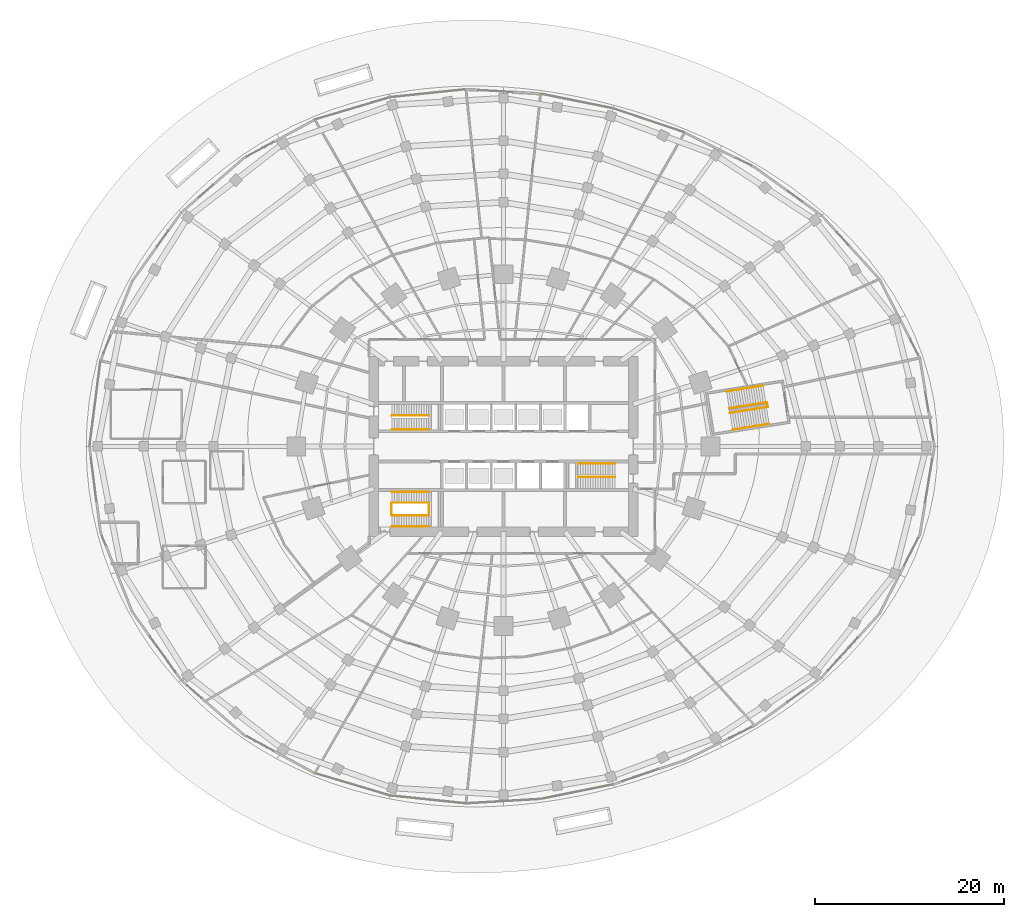
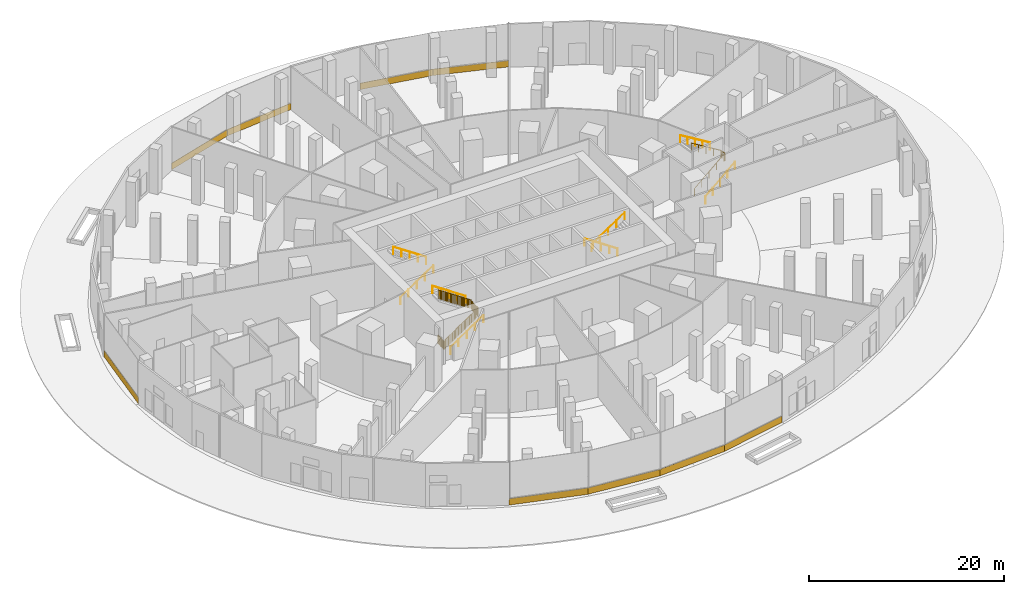
# One storey, part 22 of 23: 13 railings, 9 coverings.
"""IFC4 building model written with IfcOpenShell, lengths in metres."""

from ifc_helpers import new_model, si_unit, direction, frame, origin, origin_2d, place, context, subcontext, project, spatial, rectangle, circle, extrude, material, layer, layer_set, type_object, element, save


model = new_model("IFC4")

# Units and contexts
model_context = context("Model", 3, precision=1e-05, world=origin(), true_north=direction((0.0, 1.0)))
body_context = subcontext(model_context, "Body", "Model", "MODEL_VIEW")
ifc_project = project(units=[si_unit("LENGTHUNIT", "METRE"), si_unit("AREAUNIT", "SQUARE_METRE"), si_unit("VOLUMEUNIT", "CUBIC_METRE"), si_unit("PLANEANGLEUNIT", "RADIAN"), si_unit("MASSUNIT", "GRAM", prefix="KILO")], contexts=[model_context])

# Site, building, storey
site_placement = place(None, origin())
site = spatial("IfcSite", under=ifc_project, at=site_placement, CompositionType="ELEMENT")
building_placement = place(site_placement, origin())
building = spatial("IfcBuilding", under=site, at=building_placement, Name="Marramba Exchange Tower", CompositionType="ELEMENT")
storey_placement = place(building_placement, origin())
storey = spatial("IfcBuildingStorey", under=building, at=storey_placement, Name="L00", CompositionType="ELEMENT", Elevation=0.0)

# Coverings
ifc_material_1 = material(Name="Aluminium spandrel panel, bronze anodised, insulated", Category="aluminium")
ifc_layer = layer(ifc_material_1, 0.050048828125)
ifc_layer_set = layer_set([ifc_layer], Name="Spandrel panel 800")
covering_type = type_object("IfcCoveringType", Name="Spandrel panel 800", PredefinedType="CLADDING", material=ifc_layer_set)
covering_1_placement = place(storey_placement, frame((15.378662109375, 34.445068359375, 0.0), z_axis=(0.0, 0.0, 1.0), x_axis=(-0.947381976057, 0.320105281808, 0.0)))
element("IfcCovering", 1, at=covering_1_placement, inside=storey, type_object=covering_type, Name="Spandrel panel SP1 L00 F06", PredefinedType="CLADDING", context=body_context, shape_type="SweptSolid", body=[
    extrude(rectangle(XDim=7.9638671875, YDim=0.050048828125, at=origin_2d()), origin(), (0.0, 0.0, 1.0), 0.800048828125),
])
covering_2_placement = place(storey_placement, frame((7.76171875, 36.49462890625, 0.0), z_axis=(0.0, 0.0, 1.0), x_axis=(-0.980295805273, 0.197535146655, 0.0)))
element("IfcCovering", 2, at=covering_2_placement, inside=storey, type_object=covering_type, Name="Spandrel panel SP1 L00 F07", PredefinedType="CLADDING", context=body_context, shape_type="SweptSolid", body=[
    extrude(rectangle(XDim=7.843505859375, YDim=0.050048828125, at=origin_2d()), origin(), (0.0, 0.0, 1.0), 0.800048828125),
])
covering_3_placement = place(storey_placement, frame((-7.978759765625, 37.3212890625, 0.0), z_axis=(0.0, 0.0, 1.0), x_axis=(-0.994676918748, -0.10304284211, 0.0)))
element("IfcCovering", 3, at=covering_3_placement, inside=storey, type_object=covering_type, Name="Spandrel panel SP1 L00 F09", PredefinedType="CLADDING", context=body_context, shape_type="SweptSolid", body=[
    extrude(rectangle(XDim=8.068115234375, YDim=0.050048828125, at=origin_2d()), origin(), (0.0, 0.0, 1.0), 0.800048828125),
])
covering_4_placement = place(storey_placement, frame((-15.965576171875, 35.72119140625, 0.0), z_axis=(0.0, 0.0, 1.0), x_axis=(-0.958342726312, -0.28562076067, 0.0)))
element("IfcCovering", 4, at=covering_4_placement, inside=storey, type_object=covering_type, Name="Spandrel panel SP1 L00 F10", PredefinedType="CLADDING", context=body_context, shape_type="SweptSolid", body=[
    extrude(rectangle(XDim=8.2939453125, YDim=0.050048828125, at=origin_2d()), origin(), (0.0, 0.0, 1.0), 0.800048828125),
])
covering_5_placement = place(storey_placement, frame((-43.170166015625, 4.5263671875, 0.0), z_axis=(0.0, 0.0, 1.0), x_axis=(-0.127060765376, -0.991894934911, 0.0)))
element("IfcCovering", 5, at=covering_5_placement, inside=storey, type_object=covering_type, Name="Spandrel panel SP1 L00 F15", PredefinedType="CLADDING", context=body_context, shape_type="SweptSolid", body=[
    extrude(rectangle(XDim=9.126708984375, YDim=0.050048828125, at=origin_2d()), origin(), (0.0, 0.0, 1.0), 0.800048828125),
])
covering_6_placement = place(storey_placement, frame((-15.965576171875, -35.72119140625, 0.0), z_axis=(0.0, 0.0, 1.0), x_axis=(0.958342726312, -0.28562076067, 0.0)))
element("IfcCovering", 6, at=covering_6_placement, inside=storey, type_object=covering_type, Name="Spandrel panel SP1 L00 F21", PredefinedType="CLADDING", context=body_context, shape_type="SweptSolid", body=[
    extrude(rectangle(XDim=8.2939453125, YDim=0.050048828125, at=origin_2d()), origin(), (0.0, 0.0, 1.0), 0.800048828125),
])
covering_7_placement = place(storey_placement, frame((-7.978759765625, -37.3212890625, 0.0), z_axis=(0.0, 0.0, 1.0), x_axis=(0.994676918748, -0.10304284211, 0.0)))
element("IfcCovering", 7, at=covering_7_placement, inside=storey, type_object=covering_type, Name="Spandrel panel SP1 L00 F22", PredefinedType="CLADDING", context=body_context, shape_type="SweptSolid", body=[
    extrude(rectangle(XDim=8.068115234375, YDim=0.050048828125, at=origin_2d()), origin(), (0.0, 0.0, 1.0), 0.800048828125),
])
covering_8_placement = place(storey_placement, frame((-0.024658203125, -37.503173828125, 0.0), z_axis=(0.0, 0.0, 1.0), x_axis=(0.998243557453, 0.059243565088, 0.0)))
element("IfcCovering", 8, at=covering_8_placement, inside=storey, type_object=covering_type, Name="Spandrel panel SP1 L00 F23", PredefinedType="CLADDING", context=body_context, shape_type="SweptSolid", body=[
    extrude(rectangle(XDim=7.8974609375, YDim=0.050048828125, at=origin_2d()), origin(), (0.0, 0.0, 1.0), 0.800048828125),
])
covering_9_placement = place(storey_placement, frame((7.76171875, -36.49462890625, 0.0), z_axis=(0.0, 0.0, 1.0), x_axis=(0.980295805273, 0.197535146655, 0.0)))
element("IfcCovering", 9, at=covering_9_placement, inside=storey, type_object=covering_type, Name="Spandrel panel SP1 L00 F24", PredefinedType="CLADDING", context=body_context, shape_type="SweptSolid", body=[
    extrude(rectangle(XDim=7.843505859375, YDim=0.050048828125, at=origin_2d()), origin(), (0.0, 0.0, 1.0), 0.800048828125),
])

# Railings
ifc_material_2 = material(Name="Stainless steel handrail", Category="steel")
railing_type_1 = type_object("IfcRailingType", Name="Stair handrail 900", PredefinedType="HANDRAIL", material=ifc_material_2)
railing_1_placement = place(storey_placement, frame((-11.800048828125, 1.800048828125, 0.175048828125)))
element("IfcRailing", 10, at=railing_1_placement, inside=storey, type_object=railing_type_1, Name="Handrail HR1 ST1 L00 flight 1", PredefinedType="HANDRAIL", context=body_context, shape_type="SweptSolid", body=[
    extrude(circle(Radius=0.02392578125, at=origin_2d()), frame((0.0, 0.0, 0.8759765625), z_axis=(0.829597462249, 0.0, 0.558361935155), x_axis=(0.0, 1.0, 0.0)), (0.0, 0.0, 1.0), 4.701171875),
    extrude(circle(Radius=0.02099609375, at=origin_2d()), origin(), (0.0, 0.0, 1.0), 0.851806640625),
    extrude(circle(Radius=0.02099609375, at=origin_2d()), frame((0.97509765625, 0.0, 0.65625)), (0.0, 0.0, 1.0), 0.851806640625),
    extrude(circle(Radius=0.02099609375, at=origin_2d()), frame((1.9501953125, 0.0, 1.3125)), (0.0, 0.0, 1.0), 0.851806640625),
    extrude(circle(Radius=0.02099609375, at=origin_2d()), frame((2.925048828125, 0.0, 1.96875)), (0.0, 0.0, 1.0), 0.851806640625),
    extrude(circle(Radius=0.02099609375, at=origin_2d()), frame((3.900146484375, 0.0, 2.625)), (0.0, 0.0, 1.0), 0.851806640625),
])
for number, where, name in (
    (11, (-7.89990234375, 3.25, 2.97509765625), "Handrail HR1 ST1 L00 flight 2"),
    (12, (11.800048828125, -1.800048828125, 0.175048828125), "Handrail HR1 ST2 L00 flight 1"),
):
    element("IfcRailing", number, at=place(storey_placement, frame(where)), inside=storey, type_object=railing_type_1, Name=name, PredefinedType="HANDRAIL", context=body_context, shape_type="SweptSolid", body=[
        extrude(circle(Radius=0.02392578125, at=origin_2d()), frame((0.0, 0.0, 0.8759765625), z_axis=(-0.829597462249, 0.0, 0.558361935155), x_axis=(0.0, -1.0, 0.0)), (0.0, 0.0, 1.0), 4.701171875),
        extrude(circle(Radius=0.02099609375, at=origin_2d()), origin(), (0.0, 0.0, 1.0), 0.851806640625),
        extrude(circle(Radius=0.02099609375, at=origin_2d()), frame((-0.97509765625, 0.0, 0.65625)), (0.0, 0.0, 1.0), 0.851806640625),
        extrude(circle(Radius=0.02099609375, at=origin_2d()), frame((-1.9501953125, 0.0, 1.3125)), (0.0, 0.0, 1.0), 0.851806640625),
        extrude(circle(Radius=0.02099609375, at=origin_2d()), frame((-2.925048828125, 0.0, 1.96875)), (0.0, 0.0, 1.0), 0.851806640625),
        extrude(circle(Radius=0.02099609375, at=origin_2d()), frame((-3.900146484375, 0.0, 2.625)), (0.0, 0.0, 1.0), 0.851806640625),
    ])
for number, where, name in (
    (13, (7.89990234375, -3.25, 2.97509765625), "Handrail HR1 ST2 L00 flight 2"),
    (14, (-11.800048828125, -8.449951171875, 0.175048828125), "Handrail HR1 ST3 L00 flight 1"),
):
    element("IfcRailing", number, at=place(storey_placement, frame(where)), inside=storey, type_object=railing_type_1, Name=name, PredefinedType="HANDRAIL", context=body_context, shape_type="SweptSolid", body=[
        extrude(circle(Radius=0.02392578125, at=origin_2d()), frame((0.0, 0.0, 0.8759765625), z_axis=(0.829597462249, 0.0, 0.558361935155), x_axis=(0.0, 1.0, 0.0)), (0.0, 0.0, 1.0), 4.701171875),
        extrude(circle(Radius=0.02099609375, at=origin_2d()), origin(), (0.0, 0.0, 1.0), 0.851806640625),
        extrude(circle(Radius=0.02099609375, at=origin_2d()), frame((0.97509765625, 0.0, 0.65625)), (0.0, 0.0, 1.0), 0.851806640625),
        extrude(circle(Radius=0.02099609375, at=origin_2d()), frame((1.9501953125, 0.0, 1.3125)), (0.0, 0.0, 1.0), 0.851806640625),
        extrude(circle(Radius=0.02099609375, at=origin_2d()), frame((2.925048828125, 0.0, 1.96875)), (0.0, 0.0, 1.0), 0.851806640625),
        extrude(circle(Radius=0.02099609375, at=origin_2d()), frame((3.900146484375, 0.0, 2.625)), (0.0, 0.0, 1.0), 0.851806640625),
    ])
railing_2_placement = place(storey_placement, frame((-7.89990234375, -4.800048828125, 2.97509765625)))
element("IfcRailing", 15, at=railing_2_placement, inside=storey, type_object=railing_type_1, Name="Handrail HR1 ST3 L00 flight 2", PredefinedType="HANDRAIL", context=body_context, shape_type="SweptSolid", body=[
    extrude(circle(Radius=0.02392578125, at=origin_2d()), frame((0.0, 0.0, 0.8759765625), z_axis=(-0.829597462249, 0.0, 0.558361935155), x_axis=(0.0, -1.0, 0.0)), (0.0, 0.0, 1.0), 4.701171875),
    extrude(circle(Radius=0.02099609375, at=origin_2d()), origin(), (0.0, 0.0, 1.0), 0.851806640625),
    extrude(circle(Radius=0.02099609375, at=origin_2d()), frame((-0.97509765625, 0.0, 0.65625)), (0.0, 0.0, 1.0), 0.851806640625),
    extrude(circle(Radius=0.02099609375, at=origin_2d()), frame((-1.9501953125, 0.0, 1.3125)), (0.0, 0.0, 1.0), 0.851806640625),
    extrude(circle(Radius=0.02099609375, at=origin_2d()), frame((-2.925048828125, 0.0, 1.96875)), (0.0, 0.0, 1.0), 0.851806640625),
    extrude(circle(Radius=0.02099609375, at=origin_2d()), frame((-3.900146484375, 0.0, 2.625)), (0.0, 0.0, 1.0), 0.851806640625),
])
railing_3_placement = place(storey_placement, frame((24.22265625, 1.760986328125, 0.175048828125)))
element("IfcRailing", 16, at=railing_3_placement, inside=storey, type_object=railing_type_1, Name="Handrail HR1 ST4 L00 flight 1 right", PredefinedType="HANDRAIL", context=body_context, shape_type="SweptSolid", body=[
    extrude(circle(Radius=0.02392578125, at=origin_2d()), frame((0.0, 0.0, 0.8759765625), z_axis=(0.819378482832, 0.129777337343, 0.558369720333), x_axis=(-0.156435094066, 0.987688240967, 0.0)), (0.0, 0.0, 1.0), 4.701171875),
    extrude(circle(Radius=0.02099609375, at=origin_2d()), origin(), (0.0, 0.0, 1.0), 0.851806640625),
    extrude(circle(Radius=0.02099609375, at=origin_2d()), frame((0.962890625, 0.152587890625, 0.65625)), (0.0, 0.0, 1.0), 0.851806640625),
    extrude(circle(Radius=0.02099609375, at=origin_2d()), frame((1.926025390625, 0.30517578125, 1.3125)), (0.0, 0.0, 1.0), 0.851806640625),
    extrude(circle(Radius=0.02099609375, at=origin_2d()), frame((2.88916015625, 0.45751953125, 1.96875)), (0.0, 0.0, 1.0), 0.851806640625),
    extrude(circle(Radius=0.02099609375, at=origin_2d()), frame((3.85205078125, 0.610107421875, 2.625)), (0.0, 0.0, 1.0), 0.851806640625),
])
railing_4_placement = place(storey_placement, frame((27.433349609375, 6.420654296875, 2.97509765625)))
element("IfcRailing", 17, at=railing_4_placement, inside=storey, type_object=railing_type_1, Name="Handrail HR1 ST4 L00 flight 2 right", PredefinedType="HANDRAIL", context=body_context, shape_type="SweptSolid", body=[
    extrude(circle(Radius=0.02392578125, at=origin_2d()), frame((0.0, 0.0, 0.8759765625), z_axis=(-0.819378482832, -0.129777337343, 0.558369720333), x_axis=(0.156435094066, -0.987688240967, 0.0)), (0.0, 0.0, 1.0), 4.701171875),
    extrude(circle(Radius=0.02099609375, at=origin_2d()), origin(), (0.0, 0.0, 1.0), 0.851806640625),
    extrude(circle(Radius=0.02099609375, at=origin_2d()), frame((-0.962890625, -0.152587890625, 0.65625)), (0.0, 0.0, 1.0), 0.851806640625),
    extrude(circle(Radius=0.02099609375, at=origin_2d()), frame((-1.926025390625, -0.30517578125, 1.3125)), (0.0, 0.0, 1.0), 0.851806640625),
    extrude(circle(Radius=0.02099609375, at=origin_2d()), frame((-2.88916015625, -0.45751953125, 1.96875)), (0.0, 0.0, 1.0), 0.851806640625),
    extrude(circle(Radius=0.02099609375, at=origin_2d()), frame((-3.85205078125, -0.610107421875, 2.625)), (0.0, 0.0, 1.0), 0.851806640625),
])
railing_5_placement = place(storey_placement, frame((23.941162109375, 3.538818359375, 0.175048828125)))
element("IfcRailing", 18, at=railing_5_placement, inside=storey, type_object=railing_type_1, Name="Handrail HR1 ST4 L00 inner, continuous", PredefinedType="HANDRAIL", context=body_context, shape_type="SweptSolid", body=[
    extrude(circle(Radius=0.02392578125, at=origin_2d()), frame((0.0, 0.0, 0.8759765625), z_axis=(0.819378482832, 0.129777337343, 0.558369720333), x_axis=(-0.156435094066, 0.987688240967, 0.0)), (0.0, 0.0, 1.0), 4.701171875),
    extrude(circle(Radius=0.02392578125, at=origin_2d()), frame((3.85205078125, 0.610107421875, 3.5009765625), z_axis=(0.98772335246, 0.156213248494, 0.0), x_axis=(-0.156213248494, 0.98772335246, 0.0)), (0.0, 0.0, 1.0), 0.150146484375),
    extrude(circle(Radius=0.02392578125, at=origin_2d()), frame((4.000244140625, 0.633544921875, 3.5009765625), z_axis=(-0.156714631825, 0.987643925801, 0.0), x_axis=(-0.987643925801, -0.156714631825, 0.0)), (0.0, 0.0, 1.0), 0.5),
    extrude(circle(Radius=0.02392578125, at=origin_2d()), frame((3.921875, 1.12744140625, 3.5009765625), z_axis=(-0.642785628304, -0.101659671033, 0.75927066803), x_axis=(0.156213248494, -0.98772335246, 0.0)), (0.0, 0.0, 1.0), 0.23046875),
    extrude(circle(Radius=0.02392578125, at=origin_2d()), frame((3.773681640625, 1.10400390625, 3.67578125), z_axis=(-0.819361416002, -0.12978285977, 0.55839348069), x_axis=(0.156444766784, -0.987686708904, 0.0)), (0.0, 0.0, 1.0), 4.700927734375),
    extrude(circle(Radius=0.02099609375, at=origin_2d()), origin(), (0.0, 0.0, 1.0), 0.851806640625),
    extrude(circle(Radius=0.02099609375, at=origin_2d()), frame((0.962890625, 0.152587890625, 0.65625)), (0.0, 0.0, 1.0), 0.851806640625),
    extrude(circle(Radius=0.02099609375, at=origin_2d()), frame((1.926025390625, 0.30517578125, 1.3125)), (0.0, 0.0, 1.0), 0.851806640625),
    extrude(circle(Radius=0.02099609375, at=origin_2d()), frame((2.88916015625, 0.45751953125, 1.96875)), (0.0, 0.0, 1.0), 0.851806640625),
    extrude(circle(Radius=0.02099609375, at=origin_2d()), frame((3.85205078125, 0.610107421875, 2.625)), (0.0, 0.0, 1.0), 0.851806640625),
    extrude(circle(Radius=0.02099609375, at=origin_2d()), frame((4.000244140625, 0.633544921875, 2.625)), (0.0, 0.0, 1.0), 0.851806640625),
    extrude(circle(Radius=0.02099609375, at=origin_2d()), frame((3.921875, 1.12744140625, 2.625)), (0.0, 0.0, 1.0), 0.851806640625),
    extrude(circle(Radius=0.02099609375, at=origin_2d()), frame((3.773681640625, 1.10400390625, 2.800048828125)), (0.0, 0.0, 1.0), 0.851806640625),
    extrude(circle(Radius=0.02099609375, at=origin_2d()), frame((2.810791015625, 0.951416015625, 3.456298828125)), (0.0, 0.0, 1.0), 0.851806640625),
    extrude(circle(Radius=0.02099609375, at=origin_2d()), frame((1.84765625, 0.798828125, 4.112548828125)), (0.0, 0.0, 1.0), 0.851806640625),
    extrude(circle(Radius=0.02099609375, at=origin_2d()), frame((0.884765625, 0.646484375, 4.768798828125)), (0.0, 0.0, 1.0), 0.851806640625),
    extrude(circle(Radius=0.02099609375, at=origin_2d()), frame((-0.078125, 0.493896484375, 5.425048828125)), (0.0, 0.0, 1.0), 0.851806640625),
])
ifc_material_3 = material(Name="Stainless steel guard", Category="steel")
railing_type_2 = type_object("IfcRailingType", Name="Stair well guard 1100", PredefinedType="GUARDRAIL", material=ifc_material_3)
railing_6_placement = place(storey_placement, frame((-11.800048828125, -7.300048828125, 0.175048828125)))
element("IfcRailing", 19, at=railing_6_placement, inside=storey, type_object=railing_type_2, Name="Stair well guard GR2 ST3 L00 flight 1", PredefinedType="GUARDRAIL", context=body_context, shape_type="SweptSolid", body=[
    extrude(circle(Radius=0.02392578125, at=origin_2d()), frame((0.0, 0.0, 1.076171875), z_axis=(0.829597462249, 0.0, 0.558361935155), x_axis=(0.0, 1.0, 0.0)), (0.0, 0.0, 1.0), 4.701171875),
    extrude(circle(Radius=0.02099609375, at=origin_2d()), origin(), (0.0, 0.0, 1.0), 1.052001953125),
    extrude(circle(Radius=0.02099609375, at=origin_2d()), frame((0.97509765625, 0.0, 0.65625)), (0.0, 0.0, 1.0), 1.052001953125),
    extrude(circle(Radius=0.02099609375, at=origin_2d()), frame((1.9501953125, 0.0, 1.3125)), (0.0, 0.0, 1.0), 1.052001953125),
    extrude(circle(Radius=0.02099609375, at=origin_2d()), frame((2.925048828125, 0.0, 1.96875)), (0.0, 0.0, 1.0), 1.052001953125),
    extrude(circle(Radius=0.02099609375, at=origin_2d()), frame((3.900146484375, 0.0, 2.625)), (0.0, 0.0, 1.0), 1.052001953125),
    extrude(circle(Radius=0.006103515625, at=origin_2d()), frame((0.1201171875, 0.0, 0.080810546875)), (0.0, 0.0, 1.0), 1.052001953125),
    extrude(circle(Radius=0.006103515625, at=origin_2d()), frame((0.22509765625, 0.0, 0.1513671875)), (0.0, 0.0, 1.0), 1.052001953125),
    extrude(circle(Radius=0.006103515625, at=origin_2d()), frame((0.330078125, 0.0, 0.22216796875)), (0.0, 0.0, 1.0), 1.052001953125),
    extrude(circle(Radius=0.006103515625, at=origin_2d()), frame((0.43505859375, 0.0, 0.292724609375)), (0.0, 0.0, 1.0), 1.052001953125),
    extrude(circle(Radius=0.006103515625, at=origin_2d()), frame((0.5400390625, 0.0, 0.363525390625)), (0.0, 0.0, 1.0), 1.052001953125),
    extrude(circle(Radius=0.006103515625, at=origin_2d()), frame((0.64501953125, 0.0, 0.43408203125)), (0.0, 0.0, 1.0), 1.052001953125),
    extrude(circle(Radius=0.006103515625, at=origin_2d()), frame((0.75, 0.0, 0.5048828125)), (0.0, 0.0, 1.0), 1.052001953125),
    extrude(circle(Radius=0.006103515625, at=origin_2d()), frame((0.85498046875, 0.0, 0.575439453125)), (0.0, 0.0, 1.0), 1.052001953125),
    extrude(circle(Radius=0.006103515625, at=origin_2d()), frame((1.094970703125, 0.0, 0.737060546875)), (0.0, 0.0, 1.0), 1.052001953125),
    extrude(circle(Radius=0.006103515625, at=origin_2d()), frame((1.199951171875, 0.0, 0.8076171875)), (0.0, 0.0, 1.0), 1.052001953125),
    extrude(circle(Radius=0.006103515625, at=origin_2d()), frame((1.304931640625, 0.0, 0.87841796875)), (0.0, 0.0, 1.0), 1.052001953125),
    extrude(circle(Radius=0.006103515625, at=origin_2d()), frame((1.41015625, 0.0, 0.948974609375)), (0.0, 0.0, 1.0), 1.052001953125),
    extrude(circle(Radius=0.006103515625, at=origin_2d()), frame((1.51513671875, 0.0, 1.019775390625)), (0.0, 0.0, 1.0), 1.052001953125),
    extrude(circle(Radius=0.006103515625, at=origin_2d()), frame((1.6201171875, 0.0, 1.09033203125)), (0.0, 0.0, 1.0), 1.052001953125),
    extrude(circle(Radius=0.006103515625, at=origin_2d()), frame((1.72509765625, 0.0, 1.1611328125)), (0.0, 0.0, 1.0), 1.052001953125),
    extrude(circle(Radius=0.006103515625, at=origin_2d()), frame((1.830078125, 0.0, 1.231689453125)), (0.0, 0.0, 1.0), 1.052001953125),
    extrude(circle(Radius=0.006103515625, at=origin_2d()), frame((2.070068359375, 0.0, 1.393310546875)), (0.0, 0.0, 1.0), 1.052001953125),
    extrude(circle(Radius=0.006103515625, at=origin_2d()), frame((2.175048828125, 0.0, 1.4638671875)), (0.0, 0.0, 1.0), 1.052001953125),
    extrude(circle(Radius=0.006103515625, at=origin_2d()), frame((2.280029296875, 0.0, 1.53466796875)), (0.0, 0.0, 1.0), 1.052001953125),
    extrude(circle(Radius=0.006103515625, at=origin_2d()), frame((2.385009765625, 0.0, 1.605224609375)), (0.0, 0.0, 1.0), 1.052001953125),
    extrude(circle(Radius=0.006103515625, at=origin_2d()), frame((2.489990234375, 0.0, 1.676025390625)), (0.0, 0.0, 1.0), 1.052001953125),
    extrude(circle(Radius=0.006103515625, at=origin_2d()), frame((2.59521484375, 0.0, 1.74658203125)), (0.0, 0.0, 1.0), 1.052001953125),
    extrude(circle(Radius=0.006103515625, at=origin_2d()), frame((2.7001953125, 0.0, 1.8173828125)), (0.0, 0.0, 1.0), 1.052001953125),
    extrude(circle(Radius=0.006103515625, at=origin_2d()), frame((2.80517578125, 0.0, 1.887939453125)), (0.0, 0.0, 1.0), 1.052001953125),
    extrude(circle(Radius=0.006103515625, at=origin_2d()), frame((3.045166015625, 0.0, 2.049560546875)), (0.0, 0.0, 1.0), 1.052001953125),
    extrude(circle(Radius=0.006103515625, at=origin_2d()), frame((3.150146484375, 0.0, 2.1201171875)), (0.0, 0.0, 1.0), 1.052001953125),
    extrude(circle(Radius=0.006103515625, at=origin_2d()), frame((3.255126953125, 0.0, 2.19091796875)), (0.0, 0.0, 1.0), 1.052001953125),
    extrude(circle(Radius=0.006103515625, at=origin_2d()), frame((3.360107421875, 0.0, 2.261474609375)), (0.0, 0.0, 1.0), 1.052001953125),
    extrude(circle(Radius=0.006103515625, at=origin_2d()), frame((3.465087890625, 0.0, 2.332275390625)), (0.0, 0.0, 1.0), 1.052001953125),
    extrude(circle(Radius=0.006103515625, at=origin_2d()), frame((3.570068359375, 0.0, 2.40283203125)), (0.0, 0.0, 1.0), 1.052001953125),
    extrude(circle(Radius=0.006103515625, at=origin_2d()), frame((3.675048828125, 0.0, 2.4736328125)), (0.0, 0.0, 1.0), 1.052001953125),
    extrude(circle(Radius=0.006103515625, at=origin_2d()), frame((3.780029296875, 0.0, 2.544189453125)), (0.0, 0.0, 1.0), 1.052001953125),
])
railing_7_placement = place(storey_placement, frame((-7.89990234375, -5.949951171875, 2.97509765625)))
element("IfcRailing", 20, at=railing_7_placement, inside=storey, type_object=railing_type_2, Name="Stair well guard GR2 ST3 L00 flight 2", PredefinedType="GUARDRAIL", context=body_context, shape_type="SweptSolid", body=[
    extrude(circle(Radius=0.02392578125, at=origin_2d()), frame((0.0, 0.0, 1.076171875), z_axis=(-0.829597462249, 0.0, 0.558361935155), x_axis=(0.0, -1.0, 0.0)), (0.0, 0.0, 1.0), 4.701171875),
    extrude(circle(Radius=0.02099609375, at=origin_2d()), origin(), (0.0, 0.0, 1.0), 1.052001953125),
    extrude(circle(Radius=0.02099609375, at=origin_2d()), frame((-0.97509765625, 0.0, 0.65625)), (0.0, 0.0, 1.0), 1.052001953125),
    extrude(circle(Radius=0.02099609375, at=origin_2d()), frame((-1.9501953125, 0.0, 1.3125)), (0.0, 0.0, 1.0), 1.052001953125),
    extrude(circle(Radius=0.02099609375, at=origin_2d()), frame((-2.925048828125, 0.0, 1.96875)), (0.0, 0.0, 1.0), 1.052001953125),
    extrude(circle(Radius=0.02099609375, at=origin_2d()), frame((-3.900146484375, 0.0, 2.625)), (0.0, 0.0, 1.0), 1.052001953125),
    extrude(circle(Radius=0.006103515625, at=origin_2d()), frame((-0.1201171875, 0.0, 0.080810546875)), (0.0, 0.0, 1.0), 1.052001953125),
    extrude(circle(Radius=0.006103515625, at=origin_2d()), frame((-0.22509765625, 0.0, 0.1513671875)), (0.0, 0.0, 1.0), 1.052001953125),
    extrude(circle(Radius=0.006103515625, at=origin_2d()), frame((-0.330078125, 0.0, 0.22216796875)), (0.0, 0.0, 1.0), 1.052001953125),
    extrude(circle(Radius=0.006103515625, at=origin_2d()), frame((-0.43505859375, 0.0, 0.292724609375)), (0.0, 0.0, 1.0), 1.052001953125),
    extrude(circle(Radius=0.006103515625, at=origin_2d()), frame((-0.5400390625, 0.0, 0.363525390625)), (0.0, 0.0, 1.0), 1.052001953125),
    extrude(circle(Radius=0.006103515625, at=origin_2d()), frame((-0.64501953125, 0.0, 0.43408203125)), (0.0, 0.0, 1.0), 1.052001953125),
    extrude(circle(Radius=0.006103515625, at=origin_2d()), frame((-0.75, 0.0, 0.5048828125)), (0.0, 0.0, 1.0), 1.052001953125),
    extrude(circle(Radius=0.006103515625, at=origin_2d()), frame((-0.85498046875, 0.0, 0.575439453125)), (0.0, 0.0, 1.0), 1.052001953125),
    extrude(circle(Radius=0.006103515625, at=origin_2d()), frame((-1.094970703125, 0.0, 0.737060546875)), (0.0, 0.0, 1.0), 1.052001953125),
    extrude(circle(Radius=0.006103515625, at=origin_2d()), frame((-1.199951171875, 0.0, 0.8076171875)), (0.0, 0.0, 1.0), 1.052001953125),
    extrude(circle(Radius=0.006103515625, at=origin_2d()), frame((-1.304931640625, 0.0, 0.87841796875)), (0.0, 0.0, 1.0), 1.052001953125),
    extrude(circle(Radius=0.006103515625, at=origin_2d()), frame((-1.41015625, 0.0, 0.948974609375)), (0.0, 0.0, 1.0), 1.052001953125),
    extrude(circle(Radius=0.006103515625, at=origin_2d()), frame((-1.51513671875, 0.0, 1.019775390625)), (0.0, 0.0, 1.0), 1.052001953125),
    extrude(circle(Radius=0.006103515625, at=origin_2d()), frame((-1.6201171875, 0.0, 1.09033203125)), (0.0, 0.0, 1.0), 1.052001953125),
    extrude(circle(Radius=0.006103515625, at=origin_2d()), frame((-1.72509765625, 0.0, 1.1611328125)), (0.0, 0.0, 1.0), 1.052001953125),
    extrude(circle(Radius=0.006103515625, at=origin_2d()), frame((-1.830078125, 0.0, 1.231689453125)), (0.0, 0.0, 1.0), 1.052001953125),
    extrude(circle(Radius=0.006103515625, at=origin_2d()), frame((-2.070068359375, 0.0, 1.393310546875)), (0.0, 0.0, 1.0), 1.052001953125),
    extrude(circle(Radius=0.006103515625, at=origin_2d()), frame((-2.175048828125, 0.0, 1.4638671875)), (0.0, 0.0, 1.0), 1.052001953125),
    extrude(circle(Radius=0.006103515625, at=origin_2d()), frame((-2.280029296875, 0.0, 1.53466796875)), (0.0, 0.0, 1.0), 1.052001953125),
    extrude(circle(Radius=0.006103515625, at=origin_2d()), frame((-2.385009765625, 0.0, 1.605224609375)), (0.0, 0.0, 1.0), 1.052001953125),
    extrude(circle(Radius=0.006103515625, at=origin_2d()), frame((-2.489990234375, 0.0, 1.676025390625)), (0.0, 0.0, 1.0), 1.052001953125),
    extrude(circle(Radius=0.006103515625, at=origin_2d()), frame((-2.59521484375, 0.0, 1.74658203125)), (0.0, 0.0, 1.0), 1.052001953125),
    extrude(circle(Radius=0.006103515625, at=origin_2d()), frame((-2.7001953125, 0.0, 1.8173828125)), (0.0, 0.0, 1.0), 1.052001953125),
    extrude(circle(Radius=0.006103515625, at=origin_2d()), frame((-2.80517578125, 0.0, 1.887939453125)), (0.0, 0.0, 1.0), 1.052001953125),
    extrude(circle(Radius=0.006103515625, at=origin_2d()), frame((-3.045166015625, 0.0, 2.049560546875)), (0.0, 0.0, 1.0), 1.052001953125),
    extrude(circle(Radius=0.006103515625, at=origin_2d()), frame((-3.150146484375, 0.0, 2.1201171875)), (0.0, 0.0, 1.0), 1.052001953125),
    extrude(circle(Radius=0.006103515625, at=origin_2d()), frame((-3.255126953125, 0.0, 2.19091796875)), (0.0, 0.0, 1.0), 1.052001953125),
    extrude(circle(Radius=0.006103515625, at=origin_2d()), frame((-3.360107421875, 0.0, 2.261474609375)), (0.0, 0.0, 1.0), 1.052001953125),
    extrude(circle(Radius=0.006103515625, at=origin_2d()), frame((-3.465087890625, 0.0, 2.332275390625)), (0.0, 0.0, 1.0), 1.052001953125),
    extrude(circle(Radius=0.006103515625, at=origin_2d()), frame((-3.570068359375, 0.0, 2.40283203125)), (0.0, 0.0, 1.0), 1.052001953125),
    extrude(circle(Radius=0.006103515625, at=origin_2d()), frame((-3.675048828125, 0.0, 2.4736328125)), (0.0, 0.0, 1.0), 1.052001953125),
    extrude(circle(Radius=0.006103515625, at=origin_2d()), frame((-3.780029296875, 0.0, 2.544189453125)), (0.0, 0.0, 1.0), 1.052001953125),
])
for number, where, name in (
    (21, (-7.85009765625, -7.25, 2.800048828125), "Stair well guard GR2 ST3 L00 half landing"),
    (22, (-11.85009765625, -7.25, 0.0), "Stair well guard GR2 ST3 L00 floor landing"),
):
    element("IfcRailing", number, at=place(storey_placement, frame(where)), inside=storey, type_object=railing_type_2, Name=name, PredefinedType="GUARDRAIL", context=body_context, shape_type="SweptSolid", body=[
        extrude(circle(Radius=0.02392578125, at=origin_2d()), frame((0.0, 0.0, 1.076171875), z_axis=(0.0, 1.0, 0.0), x_axis=(-1.0, 0.0, 0.0)), (0.0, 0.0, 1.0), 1.25),
        extrude(circle(Radius=0.02099609375, at=origin_2d()), origin(), (0.0, 0.0, 1.0), 1.052001953125),
        extrude(circle(Radius=0.02099609375, at=origin_2d()), frame((0.0, 0.625, 0.0)), (0.0, 0.0, 1.0), 1.052001953125),
        extrude(circle(Radius=0.02099609375, at=origin_2d()), frame((0.0, 1.25, 0.0)), (0.0, 0.0, 1.0), 1.052001953125),
        extrude(circle(Radius=0.006103515625, at=origin_2d()), frame((0.0, 0.1142578125, 0.0)), (0.0, 0.0, 1.0), 1.052001953125),
        extrude(circle(Radius=0.006103515625, at=origin_2d()), frame((0.0, 0.21337890625, 0.0)), (0.0, 0.0, 1.0), 1.052001953125),
        extrude(circle(Radius=0.006103515625, at=origin_2d()), frame((0.0, 0.3125, 0.0)), (0.0, 0.0, 1.0), 1.052001953125),
        extrude(circle(Radius=0.006103515625, at=origin_2d()), frame((0.0, 0.41162109375, 0.0)), (0.0, 0.0, 1.0), 1.052001953125),
        extrude(circle(Radius=0.006103515625, at=origin_2d()), frame((0.0, 0.5107421875, 0.0)), (0.0, 0.0, 1.0), 1.052001953125),
        extrude(circle(Radius=0.006103515625, at=origin_2d()), frame((0.0, 0.7392578125, 0.0)), (0.0, 0.0, 1.0), 1.052001953125),
        extrude(circle(Radius=0.006103515625, at=origin_2d()), frame((0.0, 0.83837890625, 0.0)), (0.0, 0.0, 1.0), 1.052001953125),
        extrude(circle(Radius=0.006103515625, at=origin_2d()), frame((0.0, 0.9375, 0.0)), (0.0, 0.0, 1.0), 1.052001953125),
        extrude(circle(Radius=0.006103515625, at=origin_2d()), frame((0.0, 1.03662109375, 0.0)), (0.0, 0.0, 1.0), 1.052001953125),
        extrude(circle(Radius=0.006103515625, at=origin_2d()), frame((0.0, 1.1357421875, 0.0)), (0.0, 0.0, 1.0), 1.052001953125),
    ])

save(model, "model.ifc")
